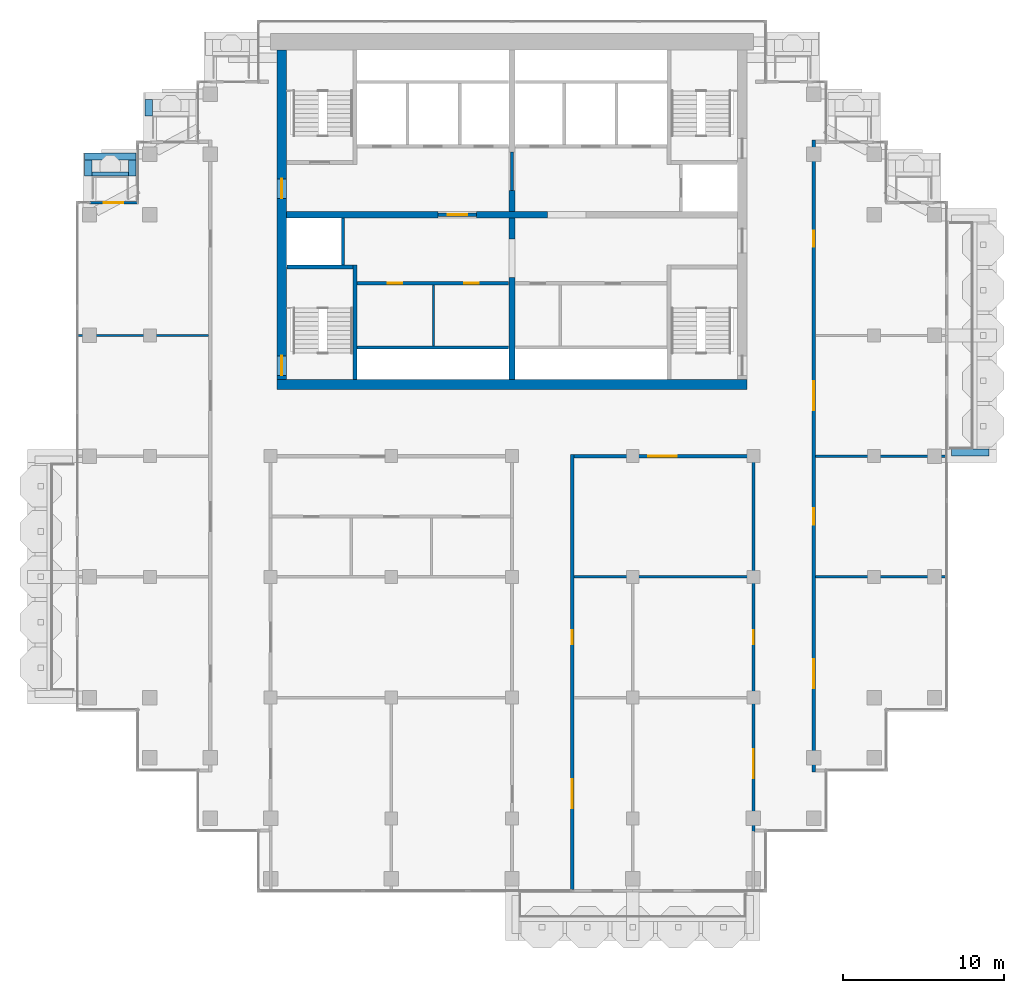
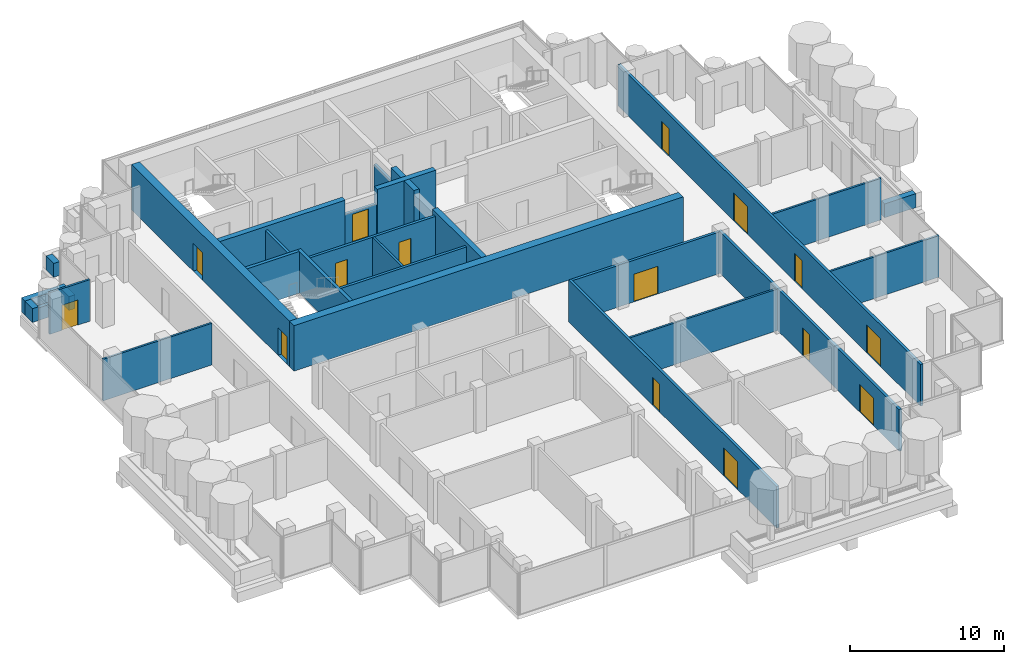
# One storey, part 12 of 18: 30 walls, 15 doors, 15 openings.
"""IFC4 building model written with IfcOpenShell, lengths in metres."""

from ifc_helpers import new_model, si_unit, direction, frame, frame_2d, origin, place, context, subcontext, project, spatial, rectangle, extrude, material, layer, layer_set, type_object, element, fill, save


model = new_model("IFC4")

# Units and contexts
model_context = context("Model", 3, precision=1e-05, world=origin(), true_north=direction((0.0, 1.0)))
body_context = subcontext(model_context, "Body", "Model", "MODEL_VIEW")
ifc_project = project(units=[si_unit("LENGTHUNIT", "METRE"), si_unit("AREAUNIT", "SQUARE_METRE"), si_unit("VOLUMEUNIT", "CUBIC_METRE"), si_unit("PLANEANGLEUNIT", "RADIAN"), si_unit("MASSUNIT", "GRAM", prefix="KILO")], contexts=[model_context])

# Site, building, storey
site_placement = place(None, origin())
site = spatial("IfcSite", under=ifc_project, at=site_placement, CompositionType="ELEMENT")
building_placement = place(site_placement, origin())
building = spatial("IfcBuilding", under=site, at=building_placement, Name="Pilkhan Gate Tower", CompositionType="ELEMENT")
storey_placement = place(building_placement, frame((0.0, 0.0, 231.89990234375)))
storey = spatial("IfcBuildingStorey", under=building, at=storey_placement, Name="L60", CompositionType="ELEMENT", Elevation=231.89990234375)

# Walls
ifc_material_1 = material(Name="Concrete C40/50", Category="concrete")
ifc_layer_1 = layer(ifc_material_1, 0.25)
ifc_layer_set_1 = layer_set([ifc_layer_1], Name="Balcony planter BP250")
wall_type_1 = type_object("IfcWallType", Name="Balcony planter BP250", PredefinedType="USERDEFINED", material=ifc_layer_set_1)
wall_1_placement = place(storey_placement, frame((48.89990234375, 85.02490234375, 0.0), z_axis=(0.0, 0.0, 1.0), x_axis=(1.0, 0.0, 0.0)))
element("IfcWall", 1, at=wall_1_placement, inside=storey, type_object=wall_type_1, Name="Balcony planter L60 N", ObjectType="BALCONY PLANTER", PredefinedType="USERDEFINED", context=body_context, shape_type="SweptSolid", body=[
    extrude(rectangle(XDim=2.280029296875, YDim=0.25, at=frame_2d((1.14013671875, 0.0))), origin(), (0.0, 0.0, 1.0), 1.0),
])
ifc_material_2 = material(Name="Board-marked Concrete C40/50", Category="concrete")
ifc_layer_2 = layer(ifc_material_2, 0.449951171875)
ifc_layer_set_2 = layer_set([ifc_layer_2], Name="Balcony planter lip BL450")
wall_type_2 = type_object("IfcWallType", Name="Balcony planter lip BL450", PredefinedType="USERDEFINED", material=ifc_layer_set_2)
wall_2_placement = place(storey_placement, frame((102.300048828125, 67.72509765625, 0.0), z_axis=(0.0, 0.0, 1.0), x_axis=(1.0, 0.0, 0.0)))
element("IfcWall", 2, at=wall_2_placement, inside=storey, type_object=wall_type_2, Name="Balcony planter L60 E", ObjectType="BALCONY PLANTER", PredefinedType="USERDEFINED", context=body_context, shape_type="SweptSolid", body=[
    extrude(rectangle(XDim=2.349853515625, YDim=0.449951171875, at=frame_2d((1.1748046875, 0.0))), origin(), (0.0, 0.0, 1.0), 1.10009765625),
])
wall_3_placement = place(storey_placement, frame((52.425048828125, 88.64990234375, 0.0), z_axis=(0.0, 0.0, 1.0), x_axis=(0.0, 1.0, 0.0)))
element("IfcWall", 3, at=wall_3_placement, inside=storey, type_object=wall_type_2, Name="Balcony planter L60 N", ObjectType="BALCONY PLANTER", PredefinedType="USERDEFINED", context=body_context, shape_type="SweptSolid", body=[
    extrude(rectangle(XDim=1.0, YDim=0.449951171875, at=frame_2d((0.5, 0.0))), origin(), (0.0, 0.0, 1.0), 1.10009765625),
])
wall_4_placement = place(storey_placement, frame((48.449951171875, 86.125, 0.0), z_axis=(0.0, 0.0, 1.0), x_axis=(1.0, 0.0, 0.0)))
element("IfcWall", 4, at=wall_4_placement, inside=storey, type_object=wall_type_2, Name="Balcony planter L60 N", ObjectType="BALCONY PLANTER", PredefinedType="USERDEFINED", context=body_context, shape_type="SweptSolid", body=[
    extrude(rectangle(XDim=3.179931640625, YDim=0.449951171875, at=frame_2d((1.58984375, 0.0))), origin(), (0.0, 0.0, 1.0), 1.10009765625),
])
for number, where, z_axis, x_axis, name in (
    (5, (48.675048828125, 84.89990234375, 0.0), (0.0, 0.0, 1.0), (0.0, 1.0, 0.0), "Balcony planter L60 N"),
    (6, (51.405029296875, 84.89990234375, 0.0), (0.0, 0.0, 1.0), (0.0, 1.0, 0.0), "Balcony planter L60 N"),
):
    element("IfcWall", number, at=place(storey_placement, frame(where, z_axis=z_axis, x_axis=x_axis)), inside=storey, type_object=wall_type_2, Name=name, ObjectType="BALCONY PLANTER", PredefinedType="USERDEFINED", context=body_context, shape_type="SweptSolid", body=[
        extrude(rectangle(XDim=1.0, YDim=0.449951171875, at=frame_2d((0.5, 0.0))), origin(), (0.0, 0.0, 1.0), 1.10009765625),
    ])
ifc_material_3 = material(Name="Concrete C50/60", Category="concrete")
ifc_layer_3 = layer(ifc_material_3, 0.60009765625)
ifc_layer_set_3 = layer_set([ifc_layer_3], Name="Core wall CW600 C50/60")
wall_type_3 = type_object("IfcWallType", Name="Core wall CW600 C50/60", PredefinedType="SHEAR", material=ifc_layer_set_3)
wall_5_placement = place(storey_placement, frame((60.39990234375, 71.949951171875, 0.0), z_axis=(0.0, 0.0, 1.0), x_axis=(1.0, 0.0, 0.0)))
element("IfcWall", 7, at=wall_5_placement, inside=storey, type_object=wall_type_3, Name="Core wall S L60", PredefinedType="SHEAR", context=body_context, shape_type="SweptSolid", body=[
    extrude(rectangle(XDim=29.2001953125, YDim=0.60009765625, at=frame_2d((14.60009765625, 0.0))), origin(), (0.0, 0.0, 1.0), 3.60009765625),
])

# Wall, openings, doors
wall_6_placement = place(storey_placement, frame((60.699951171875, 92.75, 0.0), z_axis=(0.0, 0.0, 1.0), x_axis=(0.0, -1.0, 0.0)))
wall_6 = element("IfcWall", 8, at=wall_6_placement, inside=storey, type_object=wall_type_3, Name="Core wall W L60", PredefinedType="SHEAR", context=body_context, shape_type="SweptSolid", body=[
    extrude(rectangle(XDim=20.5, YDim=0.60009765625, at=frame_2d((10.25, 0.0))), origin(), (0.0, 0.0, 1.0), 3.60009765625),
])
opening_1_placement = place(wall_6_placement, frame((19.02490234375, 0.0, 0.0)))
opening_1 = element("IfcOpeningElement", 9, at=opening_1_placement, cuts=wall_6, Name="Opening L60-04", PredefinedType="OPENING", context=body_context, shape_type="SweptSolid", body=[
    extrude(rectangle(XDim=1.199951171875, YDim=2.199951171875, at=frame_2d((0.60009765625, 1.10009765625))), frame((0.0, 0.31005859375, 0.0), z_axis=(0.0, -1.0, 0.0), x_axis=(1.0, 0.0, 0.0)), (0.0, 0.0, 1.0), 0.6201171875),
])
opening_2_placement = place(wall_6_placement, frame((8.02490234375, 0.0, 0.0)))
opening_2 = element("IfcOpeningElement", 10, at=opening_2_placement, cuts=wall_6, Name="Opening L60-07", PredefinedType="OPENING", context=body_context, shape_type="SweptSolid", body=[
    extrude(rectangle(XDim=1.199951171875, YDim=2.199951171875, at=frame_2d((0.60009765625, 1.10009765625))), frame((0.0, 0.31005859375, 0.0), z_axis=(0.0, -1.0, 0.0), x_axis=(1.0, 0.0, 0.0)), (0.0, 0.0, 1.0), 0.6201171875),
])
ifc_material_4 = material(Name="Steel door, 120 minute fire resisting, self-closing", Category="steel")
door_type_1 = type_object("IfcDoorType", Name="Firefighting lobby door D10 1200x2200", OperationType="SINGLE_SWING_LEFT", PredefinedType="DOOR", material=ifc_material_4)
door_1_placement = place(opening_2_placement, origin())
door_1 = element("IfcDoor", 11, at=door_1_placement, inside=storey, type_object=door_type_1, Name="Core door", OperationType="SINGLE_SWING_LEFT", OverallHeight=2.199951171875, OverallWidth=1.199951171875, PredefinedType="DOOR", context=body_context, shape_type="SweptSolid", body=[
    extrude(rectangle(XDim=1.199951171875, YDim=2.199951171875, at=frame_2d((0.60009765625, 1.10009765625))), frame((0.0, 0.02490234375, 0.0), z_axis=(0.0, -1.0, 0.0), x_axis=(1.0, 0.0, 0.0)), (0.0, 0.0, 1.0), 0.050048828125),
])
fill(opening_2, door_1)
ifc_material_5 = material(Name="Steel door, 120 minute fire resisting, panic bar", Category="steel")
door_type_2 = type_object("IfcDoorType", Name="Stair door D11 1200x2200", OperationType="SINGLE_SWING_LEFT", PredefinedType="DOOR", material=ifc_material_5)
door_2_placement = place(opening_1_placement, origin())
door_2 = element("IfcDoor", 12, at=door_2_placement, inside=storey, type_object=door_type_2, Name="Stair ST2 door", OperationType="SINGLE_SWING_LEFT", OverallHeight=2.199951171875, OverallWidth=1.199951171875, PredefinedType="DOOR", context=body_context, shape_type="SweptSolid", body=[
    extrude(rectangle(XDim=1.199951171875, YDim=2.199951171875, at=frame_2d((0.60009765625, 1.10009765625))), frame((0.0, 0.02490234375, 0.0), z_axis=(0.0, -1.0, 0.0), x_axis=(1.0, 0.0, 0.0)), (0.0, 0.0, 1.0), 0.050048828125),
])
fill(opening_1, door_2)

# Wall, opening, door
ifc_material_6 = material(Name="Dense blockwork", Category="masonry")
ifc_layer_4 = layer(ifc_material_6, 0.199951171875)
ifc_layer_set_4 = layer_set([ifc_layer_4], Name="Corridor wall FW200")
wall_type_4 = type_object("IfcWallType", Name="Corridor wall FW200", PredefinedType="PARTITIONING", material=ifc_layer_set_4)
wall_7_placement = place(storey_placement, frame((78.85009765625, 67.5, 0.0), z_axis=(0.0, 0.0, 1.0), x_axis=(1.0, 0.0, 0.0)))
wall_7 = element("IfcWall", 13, at=wall_7_placement, inside=storey, type_object=wall_type_4, Name="Partition L60", PredefinedType="PARTITIONING", context=body_context, shape_type="SweptSolid", body=[
    extrude(rectangle(XDim=11.0498046875, YDim=0.199951171875, at=frame_2d((5.52490234375, 0.0))), origin(), (0.0, 0.0, 1.0), 3.300048828125),
])
opening_3_placement = place(wall_7_placement, frame((4.60009765625, 0.0, 0.0)))
opening_3 = element("IfcOpeningElement", 14, at=opening_3_placement, cuts=wall_7, Name="Opening L60-23", PredefinedType="OPENING", context=body_context, shape_type="SweptSolid", body=[
    extrude(rectangle(XDim=1.800048828125, YDim=2.199951171875, at=frame_2d((0.89990234375, 1.10009765625))), frame((0.0, 0.10986328125, 0.0), z_axis=(0.0, -1.0, 0.0), x_axis=(1.0, 0.0, 0.0)), (0.0, 0.0, 1.0), 0.219970703125),
])
ifc_material_7 = material(Name="Timber glazed double door, 30 minute fire resisting", Category="wood")
door_type_3 = type_object("IfcDoorType", Name="Double door D04 1800x2200", OperationType="DOUBLE_DOOR_SINGLE_SWING", PredefinedType="DOOR", material=ifc_material_7)
door_3_placement = place(opening_3_placement, origin())
door_3 = element("IfcDoor", 15, at=door_3_placement, inside=storey, type_object=door_type_3, Name="Double door", OperationType="DOUBLE_DOOR_SINGLE_SWING", OverallHeight=2.199951171875, OverallWidth=1.800048828125, PredefinedType="DOOR", context=body_context, shape_type="SweptSolid", body=[
    extrude(rectangle(XDim=1.800048828125, YDim=2.199951171875, at=frame_2d((0.89990234375, 1.10009765625))), frame((0.0, 0.02490234375, 0.0), z_axis=(0.0, -1.0, 0.0), x_axis=(1.0, 0.0, 0.0)), (0.0, 0.0, 1.0), 0.050048828125),
])
fill(opening_3, door_3)

# Wall, openings, doors
wall_8_placement = place(storey_placement, frame((78.75, 40.5849609375, 0.0), z_axis=(0.0, 0.0, 1.0), x_axis=(0.0, 1.0, 0.0)))
wall_8 = element("IfcWall", 16, at=wall_8_placement, inside=storey, type_object=wall_type_4, Name="Partition L60", PredefinedType="PARTITIONING", context=body_context, shape_type="SweptSolid", body=[
    extrude(rectangle(XDim=27.01513671875, YDim=0.199951171875, at=frame_2d((13.507568359375, 0.0))), origin(), (0.0, 0.0, 1.0), 3.300048828125),
])
opening_4_placement = place(wall_8_placement, frame((5.050048828125, 0.0, 0.0)))
opening_4 = element("IfcOpeningElement", 17, at=opening_4_placement, cuts=wall_8, Name="Opening L60-19", PredefinedType="OPENING", context=body_context, shape_type="SweptSolid", body=[
    extrude(rectangle(XDim=1.800048828125, YDim=2.199951171875, at=frame_2d((0.89990234375, 1.10009765625))), frame((0.0, 0.10986328125, 0.0), z_axis=(0.0, -1.0, 0.0), x_axis=(1.0, 0.0, 0.0)), (0.0, 0.0, 1.0), 0.219970703125),
])
opening_5_placement = place(wall_8_placement, frame((15.215087890625, 0.0, 0.0)))
opening_5 = element("IfcOpeningElement", 18, at=opening_5_placement, cuts=wall_8, Name="Opening L60-21", PredefinedType="OPENING", context=body_context, shape_type="SweptSolid", body=[
    extrude(rectangle(XDim=0.89990234375, YDim=2.199951171875, at=frame_2d((0.449951171875, 1.10009765625))), frame((0.0, 0.10986328125, 0.0), z_axis=(0.0, -1.0, 0.0), x_axis=(1.0, 0.0, 0.0)), (0.0, 0.0, 1.0), 0.219970703125),
])
door_4_placement = place(opening_4_placement, origin())
door_4 = element("IfcDoor", 19, at=door_4_placement, inside=storey, type_object=door_type_3, Name="Double door", OperationType="DOUBLE_DOOR_SINGLE_SWING", OverallHeight=2.199951171875, OverallWidth=1.800048828125, PredefinedType="DOOR", context=body_context, shape_type="SweptSolid", body=[
    extrude(rectangle(XDim=1.800048828125, YDim=2.199951171875, at=frame_2d((0.89990234375, 1.10009765625))), frame((0.0, 0.02490234375, 0.0), z_axis=(0.0, -1.0, 0.0), x_axis=(1.0, 0.0, 0.0)), (0.0, 0.0, 1.0), 0.050048828125),
])
fill(opening_4, door_4)
ifc_material_8 = material(Name="Timber flush door, 60 minute fire resisting, self-closing", Category="wood")
door_type_4 = type_object("IfcDoorType", Name="Store door D05 900x2200", OperationType="SINGLE_SWING_LEFT", PredefinedType="DOOR", material=ifc_material_8)
door_5_placement = place(opening_5_placement, origin())
door_5 = element("IfcDoor", 20, at=door_5_placement, inside=storey, type_object=door_type_4, Name="Store door", OperationType="SINGLE_SWING_LEFT", OverallHeight=2.199951171875, OverallWidth=0.89990234375, PredefinedType="DOOR", context=body_context, shape_type="SweptSolid", body=[
    extrude(rectangle(XDim=0.89990234375, YDim=2.199951171875, at=frame_2d((0.449951171875, 1.10009765625))), frame((0.0, 0.02490234375, 0.0), z_axis=(0.0, -1.0, 0.0), x_axis=(1.0, 0.0, 0.0)), (0.0, 0.0, 1.0), 0.050048828125),
])
fill(opening_5, door_5)

wall_9_placement = place(storey_placement, frame((90.0, 44.135009765625, 0.0), z_axis=(0.0, 0.0, 1.0), x_axis=(0.0, 1.0, 0.0)))
wall_9 = element("IfcWall", 21, at=wall_9_placement, inside=storey, type_object=wall_type_4, Name="Partition L60", PredefinedType="PARTITIONING", context=body_context, shape_type="SweptSolid", body=[
    extrude(rectangle(XDim=23.465087890625, YDim=0.199951171875, at=frame_2d((11.732421875, 0.0))), origin(), (0.0, 0.0, 1.0), 3.300048828125),
])
opening_6_placement = place(wall_9_placement, frame((3.35009765625, 0.0, 0.0)))
opening_6 = element("IfcOpeningElement", 22, at=opening_6_placement, cuts=wall_9, Name="Opening L60-20", PredefinedType="OPENING", context=body_context, shape_type="SweptSolid", body=[
    extrude(rectangle(XDim=1.800048828125, YDim=2.199951171875, at=frame_2d((0.89990234375, 1.10009765625))), frame((0.0, 0.10986328125, 0.0), z_axis=(0.0, -1.0, 0.0), x_axis=(1.0, 0.0, 0.0)), (0.0, 0.0, 1.0), 0.219970703125),
])
opening_7_placement = place(wall_9_placement, frame((11.6650390625, 0.0, 0.0)))
opening_7 = element("IfcOpeningElement", 23, at=opening_7_placement, cuts=wall_9, Name="Opening L60-22", PredefinedType="OPENING", context=body_context, shape_type="SweptSolid", body=[
    extrude(rectangle(XDim=0.89990234375, YDim=2.199951171875, at=frame_2d((0.449951171875, 1.10009765625))), frame((0.0, 0.10986328125, 0.0), z_axis=(0.0, -1.0, 0.0), x_axis=(1.0, 0.0, 0.0)), (0.0, 0.0, 1.0), 0.219970703125),
])
door_6_placement = place(opening_6_placement, origin())
door_6 = element("IfcDoor", 24, at=door_6_placement, inside=storey, type_object=door_type_3, Name="Double door", OperationType="DOUBLE_DOOR_SINGLE_SWING", OverallHeight=2.199951171875, OverallWidth=1.800048828125, PredefinedType="DOOR", context=body_context, shape_type="SweptSolid", body=[
    extrude(rectangle(XDim=1.800048828125, YDim=2.199951171875, at=frame_2d((0.89990234375, 1.10009765625))), frame((0.0, 0.02490234375, 0.0), z_axis=(0.0, -1.0, 0.0), x_axis=(1.0, 0.0, 0.0)), (0.0, 0.0, 1.0), 0.050048828125),
])
fill(opening_6, door_6)
door_7_placement = place(opening_7_placement, origin())
door_7 = element("IfcDoor", 25, at=door_7_placement, inside=storey, type_object=door_type_4, Name="Store door", OperationType="SINGLE_SWING_RIGHT", OverallHeight=2.199951171875, OverallWidth=0.89990234375, PredefinedType="DOOR", context=body_context, shape_type="SweptSolid", body=[
    extrude(rectangle(XDim=0.89990234375, YDim=2.199951171875, at=frame_2d((0.449951171875, 1.10009765625))), frame((0.0, 0.02490234375, 0.0), z_axis=(0.0, -1.0, 0.0), x_axis=(1.0, 0.0, 0.0)), (0.0, 0.0, 1.0), 0.050048828125),
])
fill(opening_7, door_7)

wall_10_placement = place(storey_placement, frame((93.75, 47.8701171875, 0.0), z_axis=(0.0, 0.0, 1.0), x_axis=(0.0, 1.0, 0.0)))
wall_10 = element("IfcWall", 26, at=wall_10_placement, inside=storey, type_object=wall_type_4, Name="Partition L60", PredefinedType="PARTITIONING", context=body_context, shape_type="SweptSolid", body=[
    extrude(rectangle(XDim=39.259765625, YDim=0.199951171875, at=frame_2d((19.6298828125, 0.0))), origin(), (0.0, 0.0, 1.0), 3.300048828125),
])
opening_8_placement = place(wall_10_placement, frame((5.199951171875, 0.0, 0.0)))
opening_8 = element("IfcOpeningElement", 27, at=opening_8_placement, cuts=wall_10, Name="Opening L60-27", PredefinedType="OPENING", context=body_context, shape_type="SweptSolid", body=[
    extrude(rectangle(XDim=1.800048828125, YDim=2.199951171875, at=frame_2d((0.89990234375, 1.10009765625))), frame((0.0, 0.10986328125, 0.0), z_axis=(0.0, -1.0, 0.0), x_axis=(1.0, 0.0, 0.0)), (0.0, 0.0, 1.0), 0.219970703125),
])
opening_9_placement = place(wall_10_placement, frame((15.3798828125, 0.0, 0.0)))
opening_9 = element("IfcOpeningElement", 28, at=opening_9_placement, cuts=wall_10, Name="Opening L60-28", PredefinedType="OPENING", context=body_context, shape_type="SweptSolid", body=[
    extrude(rectangle(XDim=1.0, YDim=2.199951171875, at=frame_2d((0.5, 1.10009765625))), frame((0.0, 0.10986328125, 0.0), z_axis=(0.0, -1.0, 0.0), x_axis=(1.0, 0.0, 0.0)), (0.0, 0.0, 1.0), 0.219970703125),
])
opening_10_placement = place(wall_10_placement, frame((22.47998046875, 0.0, 0.0)))
opening_10 = element("IfcOpeningElement", 29, at=opening_10_placement, cuts=wall_10, Name="Opening L60-29", PredefinedType="OPENING", context=body_context, shape_type="SweptSolid", body=[
    extrude(rectangle(XDim=1.800048828125, YDim=2.199951171875, at=frame_2d((0.89990234375, 1.10009765625))), frame((0.0, 0.10986328125, 0.0), z_axis=(0.0, -1.0, 0.0), x_axis=(1.0, 0.0, 0.0)), (0.0, 0.0, 1.0), 0.219970703125),
])
opening_11_placement = place(wall_10_placement, frame((32.6298828125, 0.0, 0.0)))
opening_11 = element("IfcOpeningElement", 30, at=opening_11_placement, cuts=wall_10, Name="Opening L60-31", PredefinedType="OPENING", context=body_context, shape_type="SweptSolid", body=[
    extrude(rectangle(XDim=1.0, YDim=2.199951171875, at=frame_2d((0.5, 1.10009765625))), frame((0.0, 0.10986328125, 0.0), z_axis=(0.0, -1.0, 0.0), x_axis=(1.0, 0.0, 0.0)), (0.0, 0.0, 1.0), 0.219970703125),
])
door_8_placement = place(opening_8_placement, origin())
door_8 = element("IfcDoor", 31, at=door_8_placement, inside=storey, type_object=door_type_3, Name="Double door", OperationType="DOUBLE_DOOR_SINGLE_SWING", OverallHeight=2.199951171875, OverallWidth=1.800048828125, PredefinedType="DOOR", context=body_context, shape_type="SweptSolid", body=[
    extrude(rectangle(XDim=1.800048828125, YDim=2.199951171875, at=frame_2d((0.89990234375, 1.10009765625))), frame((0.0, 0.02490234375, 0.0), z_axis=(0.0, -1.0, 0.0), x_axis=(1.0, 0.0, 0.0)), (0.0, 0.0, 1.0), 0.050048828125),
])
fill(opening_8, door_8)
door_9_placement = place(opening_10_placement, origin())
door_9 = element("IfcDoor", 32, at=door_9_placement, inside=storey, type_object=door_type_3, Name="Double door", OperationType="DOUBLE_DOOR_SINGLE_SWING", OverallHeight=2.199951171875, OverallWidth=1.800048828125, PredefinedType="DOOR", context=body_context, shape_type="SweptSolid", body=[
    extrude(rectangle(XDim=1.800048828125, YDim=2.199951171875, at=frame_2d((0.89990234375, 1.10009765625))), frame((0.0, 0.02490234375, 0.0), z_axis=(0.0, -1.0, 0.0), x_axis=(1.0, 0.0, 0.0)), (0.0, 0.0, 1.0), 0.050048828125),
])
fill(opening_10, door_9)
ifc_material_9 = material(Name="Timber flush door, 30 minute fire resisting", Category="wood")
door_type_5 = type_object("IfcDoorType", Name="Room door D03 1000x2200", OperationType="SINGLE_SWING_LEFT", PredefinedType="DOOR", material=ifc_material_9)
door_10_placement = place(opening_9_placement, origin())
door_10 = element("IfcDoor", 33, at=door_10_placement, inside=storey, type_object=door_type_5, Name="Room door", OperationType="SINGLE_SWING_LEFT", OverallHeight=2.199951171875, OverallWidth=1.0, PredefinedType="DOOR", context=body_context, shape_type="SweptSolid", body=[
    extrude(rectangle(XDim=1.0, YDim=2.199951171875, at=frame_2d((0.5, 1.10009765625))), frame((0.0, 0.02490234375, 0.0), z_axis=(0.0, -1.0, 0.0), x_axis=(1.0, 0.0, 0.0)), (0.0, 0.0, 1.0), 0.050048828125),
])
fill(opening_9, door_10)
door_11_placement = place(opening_11_placement, origin())
door_11 = element("IfcDoor", 34, at=door_11_placement, inside=storey, type_object=door_type_5, Name="Room door", OperationType="SINGLE_SWING_RIGHT", OverallHeight=2.199951171875, OverallWidth=1.0, PredefinedType="DOOR", context=body_context, shape_type="SweptSolid", body=[
    extrude(rectangle(XDim=1.0, YDim=2.199951171875, at=frame_2d((0.5, 1.10009765625))), frame((0.0, 0.02490234375, 0.0), z_axis=(0.0, -1.0, 0.0), x_axis=(1.0, 0.0, 0.0)), (0.0, 0.0, 1.0), 0.050048828125),
])
fill(opening_11, door_11)

# Wall, opening, door
ifc_material_10 = material(Name="Pale anodised aluminium, clear laminated glazing", Category="aluminium")
ifc_layer_5 = layer(ifc_material_10, 0.14990234375)
ifc_layer_set_5 = layer_set([ifc_layer_5], Name="Facade infill wall IW150")
wall_type_5 = type_object("IfcWallType", Name="Facade infill wall IW150", PredefinedType="SOLIDWALL", material=ifc_layer_set_5)
wall_11_placement = place(storey_placement, frame((48.75, 83.25, 0.0), z_axis=(0.0, 0.0, 1.0), x_axis=(1.0, 0.0, 0.0)))
wall_11 = element("IfcWall", 35, at=wall_11_placement, inside=storey, type_object=wall_type_5, Name="Infill wall L60 N", PredefinedType="SOLIDWALL", context=body_context, shape_type="SweptSolid", body=[
    extrude(rectangle(XDim=3.0, YDim=0.14990234375, at=frame_2d((1.5, 0.0))), origin(), (0.0, 0.0, 1.0), 3.300048828125),
])
opening_12_placement = place(wall_11_placement, frame((0.89990234375, 0.0, 0.0)))
opening_12 = element("IfcOpeningElement", 36, at=opening_12_placement, cuts=wall_11, Name="Opening D1L", PredefinedType="OPENING", context=body_context, shape_type="SweptSolid", body=[
    extrude(rectangle(XDim=1.199951171875, YDim=2.0, at=frame_2d((0.60009765625, 1.0))), frame((0.0, 0.0849609375, 0.0), z_axis=(0.0, -1.0, 0.0), x_axis=(1.0, 0.0, 0.0)), (0.0, 0.0, 1.0), 0.169921875),
])
ifc_material_11 = material(Name="Pale anodised aluminium, clear glazing", Category="aluminium")
door_type_6 = type_object("IfcDoorType", Name="Balcony door D1L 1200x2000", OperationType="SINGLE_SWING_LEFT", PredefinedType="DOOR", material=ifc_material_11)
door_12_placement = place(opening_12_placement, origin())
door_12 = element("IfcDoor", 37, at=door_12_placement, inside=storey, type_object=door_type_6, Name="Balcony door L60", OperationType="SINGLE_SWING_LEFT", OverallHeight=2.0, OverallWidth=1.199951171875, PredefinedType="DOOR", context=body_context, shape_type="SweptSolid", body=[
    extrude(rectangle(XDim=1.199951171875, YDim=2.0, at=frame_2d((0.60009765625, 1.0))), frame((0.0, 0.02490234375, 0.0), z_axis=(0.0, -1.0, 0.0), x_axis=(1.0, 0.0, 0.0)), (0.0, 0.0, 1.0), 0.050048828125),
])
fill(opening_12, door_12)

# Wall
ifc_layer_6 = layer(ifc_material_6, 0.199951171875)
ifc_layer_set_6 = layer_set([ifc_layer_6], Name="Lobby wall LW200")
wall_type_6 = type_object("IfcWallType", Name="Lobby wall LW200", PredefinedType="PARTITIONING", material=ifc_layer_set_6)
wall_12_placement = place(storey_placement, frame((65.375, 74.25, 0.0), z_axis=(0.0, 0.0, 1.0), x_axis=(1.0, 0.0, 0.0)))
element("IfcWall", 38, at=wall_12_placement, inside=storey, type_object=wall_type_6, Name="Partition L60", PredefinedType="PARTITIONING", context=body_context, shape_type="SweptSolid", body=[
    extrude(rectangle(XDim=9.4150390625, YDim=0.199951171875, at=frame_2d((4.70751953125, 0.0))), origin(), (0.0, 0.0, 1.0), 3.300048828125),
])

# Wall, openings, doors
wall_13_placement = place(storey_placement, frame((65.375, 78.25, 0.0), z_axis=(0.0, 0.0, 1.0), x_axis=(1.0, 0.0, 0.0)))
wall_13 = element("IfcWall", 39, at=wall_13_placement, inside=storey, type_object=wall_type_6, Name="Partition L60", PredefinedType="PARTITIONING", context=body_context, shape_type="SweptSolid", body=[
    extrude(rectangle(XDim=9.4150390625, YDim=0.199951171875, at=frame_2d((4.70751953125, 0.0))), origin(), (0.0, 0.0, 1.0), 3.300048828125),
])
opening_13_placement = place(wall_13_placement, frame((1.89990234375, 0.0, 0.0)))
opening_13 = element("IfcOpeningElement", 40, at=opening_13_placement, cuts=wall_13, Name="Opening L60-08", PredefinedType="OPENING", context=body_context, shape_type="SweptSolid", body=[
    extrude(rectangle(XDim=0.89990234375, YDim=2.199951171875, at=frame_2d((0.449951171875, 1.10009765625))), frame((0.0, 0.10986328125, 0.0), z_axis=(0.0, -1.0, 0.0), x_axis=(1.0, 0.0, 0.0)), (0.0, 0.0, 1.0), 0.219970703125),
])
opening_14_placement = place(wall_13_placement, frame((6.64990234375, 0.0, 0.0)))
opening_14 = element("IfcOpeningElement", 41, at=opening_14_placement, cuts=wall_13, Name="Opening L60-09", PredefinedType="OPENING", context=body_context, shape_type="SweptSolid", body=[
    extrude(rectangle(XDim=0.89990234375, YDim=2.199951171875, at=frame_2d((0.449951171875, 1.10009765625))), frame((0.0, 0.10986328125, 0.0), z_axis=(0.0, -1.0, 0.0), x_axis=(1.0, 0.0, 0.0)), (0.0, 0.0, 1.0), 0.219970703125),
])
door_13_placement = place(opening_13_placement, origin())
door_13 = element("IfcDoor", 42, at=door_13_placement, inside=storey, type_object=door_type_4, Name="Store door", OperationType="SINGLE_SWING_LEFT", OverallHeight=2.199951171875, OverallWidth=0.89990234375, PredefinedType="DOOR", context=body_context, shape_type="SweptSolid", body=[
    extrude(rectangle(XDim=0.89990234375, YDim=2.199951171875, at=frame_2d((0.449951171875, 1.10009765625))), frame((0.0, 0.02490234375, 0.0), z_axis=(0.0, -1.0, 0.0), x_axis=(1.0, 0.0, 0.0)), (0.0, 0.0, 1.0), 0.050048828125),
])
fill(opening_13, door_13)
door_14_placement = place(opening_14_placement, origin())
door_14 = element("IfcDoor", 43, at=door_14_placement, inside=storey, type_object=door_type_4, Name="Store door", OperationType="SINGLE_SWING_LEFT", OverallHeight=2.199951171875, OverallWidth=0.89990234375, PredefinedType="DOOR", context=body_context, shape_type="SweptSolid", body=[
    extrude(rectangle(XDim=0.89990234375, YDim=2.199951171875, at=frame_2d((0.449951171875, 1.10009765625))), frame((0.0, 0.02490234375, 0.0), z_axis=(0.0, -1.0, 0.0), x_axis=(1.0, 0.0, 0.0)), (0.0, 0.0, 1.0), 0.050048828125),
])
fill(opening_14, door_14)

# Wall, opening, door
wall_14_placement = place(storey_placement, frame((70.409912109375, 82.5, 0.0), z_axis=(0.0, 0.0, 1.0), x_axis=(1.0, 0.0, 0.0)))
wall_14 = element("IfcWall", 44, at=wall_14_placement, inside=storey, type_object=wall_type_6, Name="Partition L60", PredefinedType="PARTITIONING", context=body_context, shape_type="SweptSolid", body=[
    extrude(rectangle(XDim=2.380126953125, YDim=0.199951171875, at=frame_2d((1.18994140625, 0.0))), origin(), (0.0, 0.0, 1.0), 2.400146484375),
])
opening_15_placement = place(wall_14_placement, frame((0.60009765625, 0.0, 0.0)))
opening_15 = element("IfcOpeningElement", 45, at=opening_15_placement, cuts=wall_14, Name="Opening L60-01", PredefinedType="OPENING", context=body_context, shape_type="SweptSolid", body=[
    extrude(rectangle(XDim=1.199951171875, YDim=2.199951171875, at=frame_2d((0.60009765625, 1.10009765625))), frame((0.0, 0.10986328125, 0.0), z_axis=(0.0, -1.0, 0.0), x_axis=(1.0, 0.0, 0.0)), (0.0, 0.0, 1.0), 0.219970703125),
])
door_15_placement = place(opening_15_placement, origin())
door_15 = element("IfcDoor", 46, at=door_15_placement, inside=storey, type_object=door_type_1, Name="Firefighting lobby door", OperationType="SINGLE_SWING_RIGHT", OverallHeight=2.199951171875, OverallWidth=1.199951171875, PredefinedType="DOOR", context=body_context, shape_type="SweptSolid", body=[
    extrude(rectangle(XDim=1.199951171875, YDim=2.199951171875, at=frame_2d((0.60009765625, 1.10009765625))), frame((0.0, 0.02490234375, 0.0), z_axis=(0.0, -1.0, 0.0), x_axis=(1.0, 0.0, 0.0)), (0.0, 0.0, 1.0), 0.050048828125),
])
fill(opening_15, door_15)

# Walls
wall_15_placement = place(storey_placement, frame((75.0, 84.010009765625, 0.0), z_axis=(0.0, 0.0, 1.0), x_axis=(0.0, 1.0, 0.0)))
element("IfcWall", 47, at=wall_15_placement, inside=storey, type_object=wall_type_6, Name="Partition L60", PredefinedType="PARTITIONING", context=body_context, shape_type="SweptSolid", body=[
    extrude(rectangle(XDim=2.3798828125, YDim=0.199951171875, at=frame_2d((1.18994140625, 0.0))), origin(), (0.0, 0.0, 1.0), 2.400146484375),
])
ifc_material_12 = material(Name="Blockwork partition, plastered both sides", Category="masonry")
ifc_layer_7 = layer(ifc_material_12, 0.14990234375)
ifc_layer_set_7 = layer_set([ifc_layer_7], Name="Partition PW150")
wall_type_7 = type_object("IfcWallType", Name="Partition PW150", PredefinedType="PARTITIONING", material=ifc_layer_set_7)
wall_16_placement = place(storey_placement, frame((78.85009765625, 60.0, 0.0), z_axis=(0.0, 0.0, 1.0), x_axis=(1.0, 0.0, 0.0)))
element("IfcWall", 48, at=wall_16_placement, inside=storey, type_object=wall_type_7, Name="Partition L60", PredefinedType="PARTITIONING", context=body_context, shape_type="SweptSolid", body=[
    extrude(rectangle(XDim=11.0498046875, YDim=0.14990234375, at=frame_2d((5.52490234375, 0.0))), origin(), (0.0, 0.0, 1.0), 3.300048828125),
])
for number, where, z_axis, x_axis, name in (
    (49, (93.85009765625, 60.0, 0.0), (0.0, 0.0, 1.0), (1.0, 0.0, 0.0), "Partition L60"),
    (50, (93.85009765625, 67.5, 0.0), (0.0, 0.0, 1.0), (1.0, 0.0, 0.0), "Partition L60"),
    (51, (47.985107421875, 75.0, 0.0), (0.0, 0.0, 1.0), (1.0, 0.0, 0.0), "Partition L60"),
):
    element("IfcWall", number, at=place(storey_placement, frame(where, z_axis=z_axis, x_axis=x_axis)), inside=storey, type_object=wall_type_7, Name=name, PredefinedType="PARTITIONING", context=body_context, shape_type="SweptSolid", body=[
        extrude(rectangle(XDim=8.164794921875, YDim=0.14990234375, at=frame_2d((4.08251953125, 0.0))), origin(), (0.0, 0.0, 1.0), 3.300048828125),
    ])
wall_17_placement = place(storey_placement, frame((70.125, 74.35009765625, 0.0), z_axis=(0.0, 0.0, 1.0), x_axis=(0.0, 1.0, 0.0)))
element("IfcWall", 52, at=wall_17_placement, inside=storey, type_object=wall_type_7, Name="Partition L60", PredefinedType="PARTITIONING", context=body_context, shape_type="SweptSolid", body=[
    extrude(rectangle(XDim=3.7998046875, YDim=0.14990234375, at=frame_2d((1.89990234375, 0.0))), origin(), (0.0, 0.0, 1.0), 3.300048828125),
])
ifc_material_13 = material(Name="Reinforced blockwork shaft wall, 120 minute fire resisting", Category="masonry")
ifc_layer_8 = layer(ifc_material_13, 0.199951171875)
ifc_layer_set_8 = layer_set([ifc_layer_8], Name="Shaft wall SW200")
wall_type_8 = type_object("IfcWallType", Name="Shaft wall SW200", PredefinedType="PARTITIONING", material=ifc_layer_set_8)
wall_18_placement = place(storey_placement, frame((64.5, 79.375, 0.0), z_axis=(0.0, 0.0, 1.0), x_axis=(0.0, 1.0, 0.0)))
element("IfcWall", 53, at=wall_18_placement, inside=storey, type_object=wall_type_8, Name="Partition L60", PredefinedType="PARTITIONING", context=body_context, shape_type="SweptSolid", body=[
    extrude(rectangle(XDim=2.9150390625, YDim=0.199951171875, at=frame_2d((1.45751953125, 0.0))), origin(), (0.0, 0.0, 1.0), 3.300048828125),
])
ifc_layer_9 = layer(ifc_material_3, 0.39990234375)
ifc_layer_set_9 = layer_set([ifc_layer_9], Name="Spine wall SW400 C50/60")
wall_type_9 = type_object("IfcWallType", Name="Spine wall SW400 C50/60", PredefinedType="SHEAR", material=ifc_layer_set_9)
wall_19_placement = place(storey_placement, frame((61.0, 82.5, 0.0), z_axis=(0.0, 0.0, 1.0), x_axis=(1.0, 0.0, 0.0)))
element("IfcWall", 54, at=wall_19_placement, inside=storey, type_object=wall_type_9, Name="Spine wall SP-EW1 L60", PredefinedType="SHEAR", context=body_context, shape_type="SweptSolid", body=[
    extrude(rectangle(XDim=9.39990234375, YDim=0.39990234375, at=frame_2d((4.699951171875, 0.0))), origin(), (0.0, 0.0, 1.0), 3.60009765625),
])
wall_20_placement = place(storey_placement, frame((72.800048828125, 82.5, 0.0), z_axis=(0.0, 0.0, 1.0), x_axis=(1.0, 0.0, 0.0)))
element("IfcWall", 55, at=wall_20_placement, inside=storey, type_object=wall_type_9, Name="Spine wall SP-EW2 L60", PredefinedType="SHEAR", context=body_context, shape_type="SweptSolid", body=[
    extrude(rectangle(XDim=4.39990234375, YDim=0.39990234375, at=frame_2d((2.199951171875, 0.0))), origin(), (0.0, 0.0, 1.0), 3.60009765625),
])
wall_21_placement = place(storey_placement, frame((75.0, 72.25, 0.0), z_axis=(0.0, 0.0, 1.0), x_axis=(0.0, 1.0, 0.0)))
element("IfcWall", 56, at=wall_21_placement, inside=storey, type_object=wall_type_9, Name="Spine wall SP-NS-S1 L60", PredefinedType="SHEAR", context=body_context, shape_type="SweptSolid", body=[
    extrude(rectangle(XDim=6.35009765625, YDim=0.39990234375, at=frame_2d((3.175048828125, 0.0))), origin(), (0.0, 0.0, 1.0), 3.60009765625),
])
for number, where, z_axis, x_axis, name in (
    (57, (75.0, 81.0, 0.0), (0.0, 0.0, 1.0), (0.0, 1.0, 0.0), "Spine wall SP-NS-S2 L60"),
    (58, (75.0, 82.699951171875, 0.0), (0.0, 0.0, 1.0), (0.0, 1.0, 0.0), "Spine wall SP-NS-N1 L60"),
):
    element("IfcWall", number, at=place(storey_placement, frame(where, z_axis=z_axis, x_axis=x_axis)), inside=storey, type_object=wall_type_9, Name=name, PredefinedType="SHEAR", context=body_context, shape_type="SweptSolid", body=[
        extrude(rectangle(XDim=1.300048828125, YDim=0.39990234375, at=frame_2d((0.64990234375, 0.0))), origin(), (0.0, 0.0, 1.0), 3.60009765625),
    ])
ifc_material_14 = material(Name="Reinforced blockwork, 120 minute fire resisting", Category="masonry")
ifc_layer_10 = layer(ifc_material_14, 0.25)
ifc_layer_set_10 = layer_set([ifc_layer_10], Name="Stair enclosure wall SE250")
wall_type_10 = type_object("IfcWallType", Name="Stair enclosure wall SE250", PredefinedType="PARTITIONING", material=ifc_layer_set_10)
wall_22_placement = place(storey_placement, frame((61.010009765625, 79.25, 0.0), z_axis=(0.0, 0.0, 1.0), x_axis=(1.0, 0.0, 0.0)))
element("IfcWall", 59, at=wall_22_placement, inside=storey, type_object=wall_type_10, Name="Partition L60", PredefinedType="PARTITIONING", context=body_context, shape_type="SweptSolid", body=[
    extrude(rectangle(XDim=4.114990234375, YDim=0.25, at=frame_2d((2.0576171875, 0.0))), origin(), (0.0, 0.0, 1.0), 3.300048828125),
])
wall_23_placement = place(storey_placement, frame((65.25, 72.260009765625, 0.0), z_axis=(0.0, 0.0, 1.0), x_axis=(0.0, 1.0, 0.0)))
element("IfcWall", 60, at=wall_23_placement, inside=storey, type_object=wall_type_10, Name="Partition L60", PredefinedType="PARTITIONING", context=body_context, shape_type="SweptSolid", body=[
    extrude(rectangle(XDim=7.114990234375, YDim=0.25, at=frame_2d((3.5576171875, 0.0))), origin(), (0.0, 0.0, 1.0), 3.300048828125),
])

save(model, "model.ifc")
